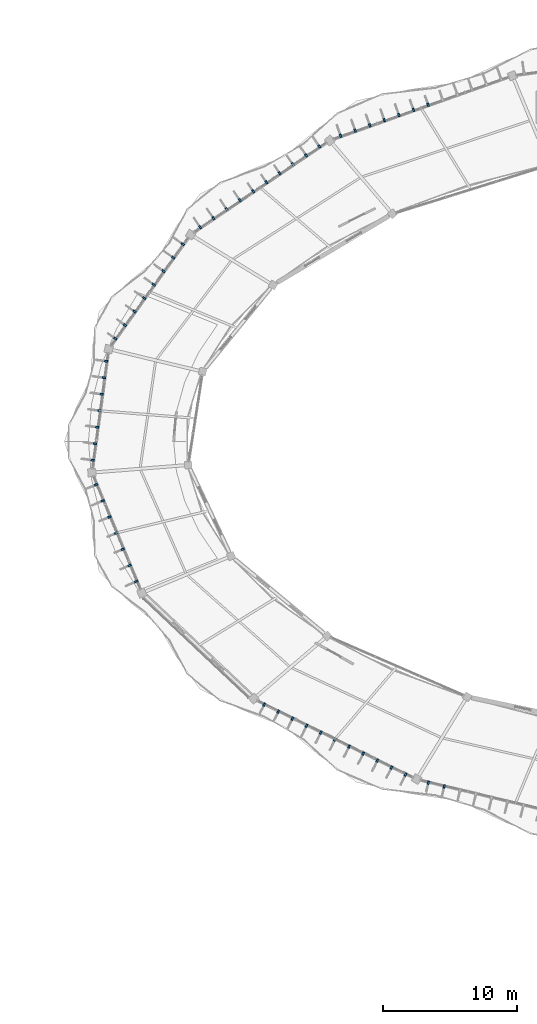
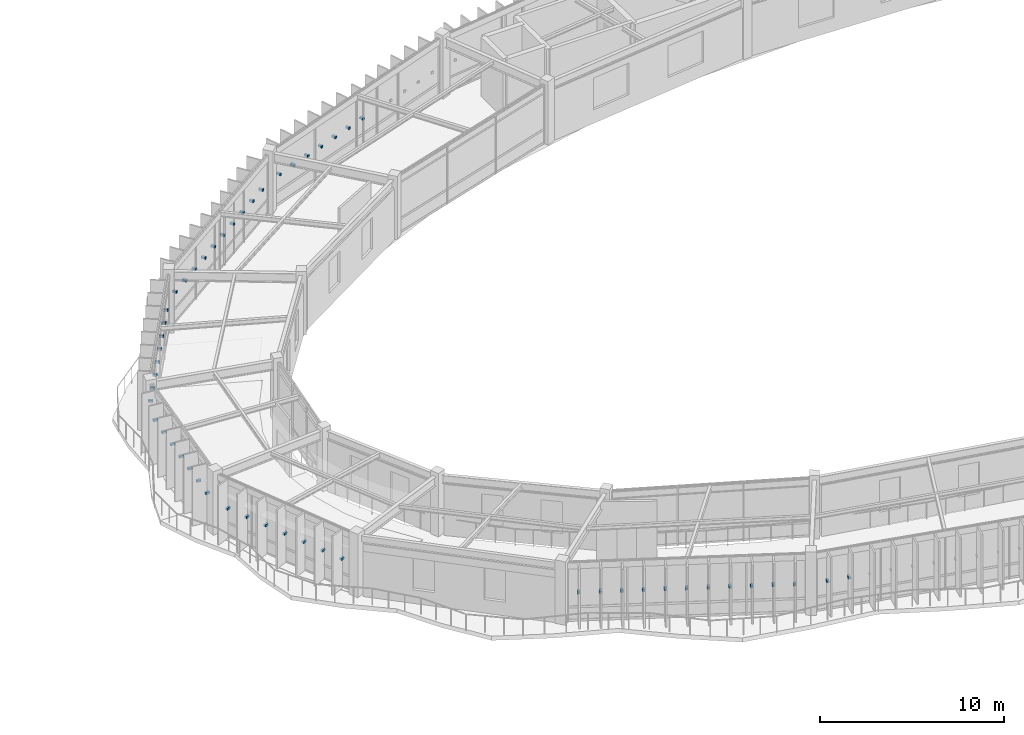
# One storey, part 74 of 83: 52 discrete accessories.
"""IFC4 building model written with IfcOpenShell, lengths in metres."""

from ifc_helpers import new_model, si_unit, direction, frame, origin, origin_2d, place, context, subcontext, project, spatial, rectangle, extrude, material, type_object, element, save


model = new_model("IFC4")

# Units and contexts
model_context = context("Model", 3, precision=1e-05, world=origin(), true_north=direction((0.0, 1.0)))
body_context = subcontext(model_context, "Body", "Model", "MODEL_VIEW")
ifc_project = project(units=[si_unit("LENGTHUNIT", "METRE"), si_unit("AREAUNIT", "SQUARE_METRE"), si_unit("VOLUMEUNIT", "CUBIC_METRE"), si_unit("PLANEANGLEUNIT", "RADIAN"), si_unit("MASSUNIT", "GRAM", prefix="KILO"), si_unit("THERMODYNAMICTEMPERATUREUNIT", "KELVIN"), si_unit("POWERUNIT", "WATT")], contexts=[model_context])

# Site, building, storey
site_placement = place(None, origin())
site = spatial("IfcSite", under=ifc_project, at=site_placement, CompositionType="ELEMENT")
building_placement = place(site_placement, origin())
building = spatial("IfcBuilding", under=site, at=building_placement, Name="Darbajah Civic Hall", CompositionType="ELEMENT")
storey_placement = place(building_placement, frame((0.0, 0.0, 18.0)))
storey = spatial("IfcBuildingStorey", under=building, at=storey_placement, Name="L04", CompositionType="ELEMENT", Elevation=18.0)

# Discrete accessories
ifc_material = material(Name="Stainless Steel S355JR", Category="steel")
discrete_accessory_type = type_object("IfcDiscreteAccessoryType", Name="Stainless Facade Support Bracket", PredefinedType="BRACKET", material=ifc_material)
for number, where, z_axis, x_axis, name in (
    (1, (63.3037109375, 114.892333984375, 1.89013671875), (0.0, 0.0, 1.0), (-0.334135882844, 0.94252491309, 0.0), "L04 shading fin bracket 06-6"),
    (2, (62.21728515625, 114.507080078125, 1.89013671875), (0.0, 0.0, 1.0), (-0.334135882844, 0.94252491309, 0.0), "L04 shading fin bracket 06-7"),
    (3, (61.131103515625, 114.122314453125, 1.89013671875), (0.0, 0.0, 1.0), (-0.334135882844, 0.94252491309, 0.0), "L04 shading fin bracket 06-8"),
    (4, (60.044921875, 113.737060546875, 1.89013671875), (0.0, 0.0, 1.0), (-0.334135882844, 0.94252491309, 0.0), "L04 shading fin bracket 06-9"),
    (5, (58.95849609375, 113.35205078125, 1.89013671875), (0.0, 0.0, 1.0), (-0.334135882844, 0.94252491309, 0.0), "L04 shading fin bracket 06-10"),
    (6, (57.8720703125, 112.967041015625, 1.89013671875), (0.0, 0.0, 1.0), (-0.334135882844, 0.94252491309, 0.0), "L04 shading fin bracket 06-11"),
    (7, (56.785888671875, 112.58203125, 1.89013671875), (0.0, 0.0, 1.0), (-0.334135882844, 0.94252491309, 0.0), "L04 shading fin bracket 06-12"),
    (8, (55.201416015625, 111.7783203125, 1.89013671875), (0.0, 0.0, 1.0), (-0.560783509816, 0.827962472047, 0.0), "L04 shading fin bracket 07-1"),
    (9, (54.215087890625, 111.1103515625, 1.89013671875), (0.0, 0.0, 1.0), (-0.560783509816, 0.827962472047, 0.0), "L04 shading fin bracket 07-2"),
    (10, (53.228759765625, 110.4423828125, 1.89013671875), (0.0, 0.0, 1.0), (-0.560783509816, 0.827962472047, 0.0), "L04 shading fin bracket 07-3"),
    (11, (52.242431640625, 109.7744140625, 1.89013671875), (0.0, 0.0, 1.0), (-0.560783509816, 0.827962472047, 0.0), "L04 shading fin bracket 07-4"),
    (12, (51.256103515625, 109.1064453125, 1.89013671875), (0.0, 0.0, 1.0), (-0.560783509816, 0.827962472047, 0.0), "L04 shading fin bracket 07-5"),
    (13, (50.27001953125, 108.4384765625, 1.89013671875), (0.0, 0.0, 1.0), (-0.560783509816, 0.827962472047, 0.0), "L04 shading fin bracket 07-6"),
    (14, (49.28369140625, 107.7705078125, 1.89013671875), (0.0, 0.0, 1.0), (-0.560783509816, 0.827962472047, 0.0), "L04 shading fin bracket 07-7"),
    (15, (48.29736328125, 107.1025390625, 1.89013671875), (0.0, 0.0, 1.0), (-0.560783509816, 0.827962472047, 0.0), "L04 shading fin bracket 07-8"),
    (16, (47.311279296875, 106.4345703125, 1.89013671875), (0.0, 0.0, 1.0), (-0.560783509816, 0.827962472047, 0.0), "L04 shading fin bracket 07-9"),
    (17, (46.324951171875, 105.7666015625, 1.89013671875), (0.0, 0.0, 1.0), (-0.560783509816, 0.827962472047, 0.0), "L04 shading fin bracket 07-10"),
    (18, (45.031005859375, 104.5009765625, 1.89013671875), (0.0, 0.0, 1.0), (-0.812999149039, 0.582264874145, 0.0), "L04 shading fin bracket 08-1"),
    (19, (44.311767578125, 103.496337890625, 1.89013671875), (0.0, 0.0, 1.0), (-0.812999149039, 0.582264874145, 0.0), "L04 shading fin bracket 08-2"),
    (20, (43.592529296875, 102.491943359375, 1.89013671875), (0.0, 0.0, 1.0), (-0.812999149039, 0.582264874145, 0.0), "L04 shading fin bracket 08-3"),
    (21, (42.873046875, 101.4873046875, 1.89013671875), (0.0, 0.0, 1.0), (-0.812999149039, 0.582264874145, 0.0), "L04 shading fin bracket 08-4"),
    (22, (42.15380859375, 100.48291015625, 1.89013671875), (0.0, 0.0, 1.0), (-0.812999149039, 0.582264874145, 0.0), "L04 shading fin bracket 08-5"),
    (23, (41.4345703125, 99.478271484375, 1.89013671875), (0.0, 0.0, 1.0), (-0.812999149039, 0.582264874145, 0.0), "L04 shading fin bracket 08-6"),
    (24, (40.715087890625, 98.473876953125, 1.89013671875), (0.0, 0.0, 1.0), (-0.812999149039, 0.582264874145, 0.0), "L04 shading fin bracket 08-7"),
    (25, (39.995849609375, 97.46923828125, 1.89013671875), (0.0, 0.0, 1.0), (-0.812999149039, 0.582264874145, 0.0), "L04 shading fin bracket 08-8"),
    (26, (39.3251953125, 95.781005859375, 1.89013671875), (0.0, 0.0, 1.0), (-0.990865897387, 0.134850930274, 0.0), "L04 shading fin bracket 09-1"),
    (27, (39.158203125, 94.552001953125, 1.89013671875), (0.0, 0.0, 1.0), (-0.990865897387, 0.134850930274, 0.0), "L04 shading fin bracket 09-2"),
    (28, (38.990966796875, 93.322998046875, 1.89013671875), (0.0, 0.0, 1.0), (-0.990865897387, 0.134850930274, 0.0), "L04 shading fin bracket 09-3"),
    (29, (38.82373046875, 92.093994140625, 1.89013671875), (0.0, 0.0, 1.0), (-0.990865897387, 0.134850930274, 0.0), "L04 shading fin bracket 09-4"),
    (30, (38.656494140625, 90.865234375, 1.89013671875), (0.0, 0.0, 1.0), (-0.990865897387, 0.134850930274, 0.0), "L04 shading fin bracket 09-5"),
    (31, (38.4892578125, 89.63623046875, 1.89013671875), (0.0, 0.0, 1.0), (-0.990865897387, 0.134850930274, 0.0), "L04 shading fin bracket 09-6"),
    (32, (38.322021484375, 88.4072265625, 1.89013671875), (0.0, 0.0, 1.0), (-0.990865897387, 0.134850930274, 0.0), "L04 shading fin bracket 09-7"),
    (33, (38.567138671875, 86.58251953125, 1.89013671875), (0.0, 0.0, 1.0), (-0.923612143954, -0.383328328644, 0.0), "L04 shading fin bracket 10-1"),
    (34, (39.066162109375, 85.3798828125, 1.89013671875), (0.0, 0.0, 1.0), (-0.923612143954, -0.383328328644, 0.0), "L04 shading fin bracket 10-2"),
    (35, (39.565185546875, 84.177490234375, 1.89013671875), (0.0, 0.0, 1.0), (-0.923612143954, -0.383328328644, 0.0), "L04 shading fin bracket 10-3"),
    (36, (40.064208984375, 82.97509765625, 1.89013671875), (0.0, 0.0, 1.0), (-0.923612143954, -0.383328328644, 0.0), "L04 shading fin bracket 10-4"),
    (37, (40.563232421875, 81.772705078125, 1.89013671875), (0.0, 0.0, 1.0), (-0.923612143954, -0.383328328644, 0.0), "L04 shading fin bracket 10-5"),
    (38, (41.062255859375, 80.5703125, 1.89013671875), (0.0, 0.0, 1.0), (-0.923612143954, -0.383328328644, 0.0), "L04 shading fin bracket 10-6"),
    (39, (41.561279296875, 79.367919921875, 1.89013671875), (0.0, 0.0, 1.0), (-0.923612143954, -0.383328328644, 0.0), "L04 shading fin bracket 10-7"),
    (40, (51.09033203125, 70.193359375, 1.89013671875), (0.0, 0.0, 1.0), (-0.442914717678, -0.89656374724, 0.0), "L04 shading fin bracket 12-1"),
    (41, (52.144287109375, 69.6728515625, 1.89013671875), (0.0, 0.0, 1.0), (-0.442914717678, -0.89656374724, 0.0), "L04 shading fin bracket 12-2"),
    (42, (53.197998046875, 69.152099609375, 1.89013671875), (0.0, 0.0, 1.0), (-0.442914717678, -0.89656374724, 0.0), "L04 shading fin bracket 12-3"),
    (43, (54.251708984375, 68.631591796875, 1.89013671875), (0.0, 0.0, 1.0), (-0.442914717678, -0.89656374724, 0.0), "L04 shading fin bracket 12-4"),
    (44, (55.3056640625, 68.111083984375, 1.89013671875), (0.0, 0.0, 1.0), (-0.442914717678, -0.89656374724, 0.0), "L04 shading fin bracket 12-5"),
    (45, (56.359375, 67.59033203125, 1.89013671875), (0.0, 0.0, 1.0), (-0.442914717678, -0.89656374724, 0.0), "L04 shading fin bracket 12-6"),
    (46, (57.4130859375, 67.06982421875, 1.89013671875), (0.0, 0.0, 1.0), (-0.442914717678, -0.89656374724, 0.0), "L04 shading fin bracket 12-7"),
    (47, (58.467041015625, 66.54931640625, 1.89013671875), (0.0, 0.0, 1.0), (-0.442914717678, -0.89656374724, 0.0), "L04 shading fin bracket 12-8"),
    (48, (59.520751953125, 66.028564453125, 1.89013671875), (0.0, 0.0, 1.0), (-0.442914717678, -0.89656374724, 0.0), "L04 shading fin bracket 12-9"),
    (49, (60.574462890625, 65.508056640625, 1.89013671875), (0.0, 0.0, 1.0), (-0.442914717678, -0.89656374724, 0.0), "L04 shading fin bracket 12-10"),
    (50, (61.62841796875, 64.9873046875, 1.89013671875), (0.0, 0.0, 1.0), (-0.442914717678, -0.89656374724, 0.0), "L04 shading fin bracket 12-11"),
    (51, (63.322021484375, 64.377197265625, 1.89013671875), (0.0, 0.0, 1.0), (-0.232936200179, -0.972492018808, 0.0), "L04 shading fin bracket 13-1"),
    (52, (64.501708984375, 64.094482421875, 1.89013671875), (0.0, 0.0, 1.0), (-0.232936200179, -0.972492018808, 0.0), "L04 shading fin bracket 13-2"),
):
    element("IfcDiscreteAccessory", number, at=place(storey_placement, frame(where, z_axis=z_axis, x_axis=x_axis)), inside=storey, type_object=discrete_accessory_type, Name=name, PredefinedType="BRACKET", context=body_context, shape_type="SweptSolid", body=[
        extrude(rectangle(XDim=0.260009765625, YDim=0.139892578125, at=origin_2d()), origin(), (0.0, 0.0, 1.0), 0.139892578125),
    ])

save(model, "model.ifc")
